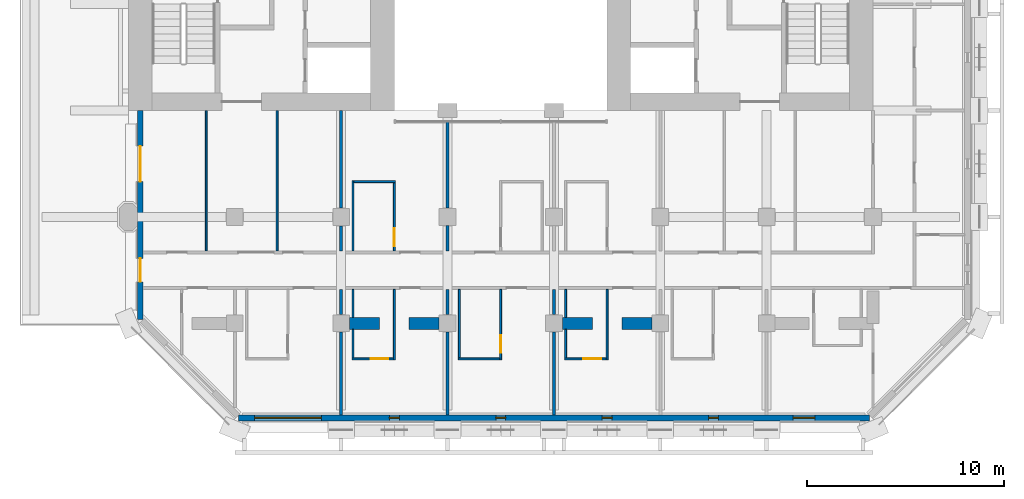
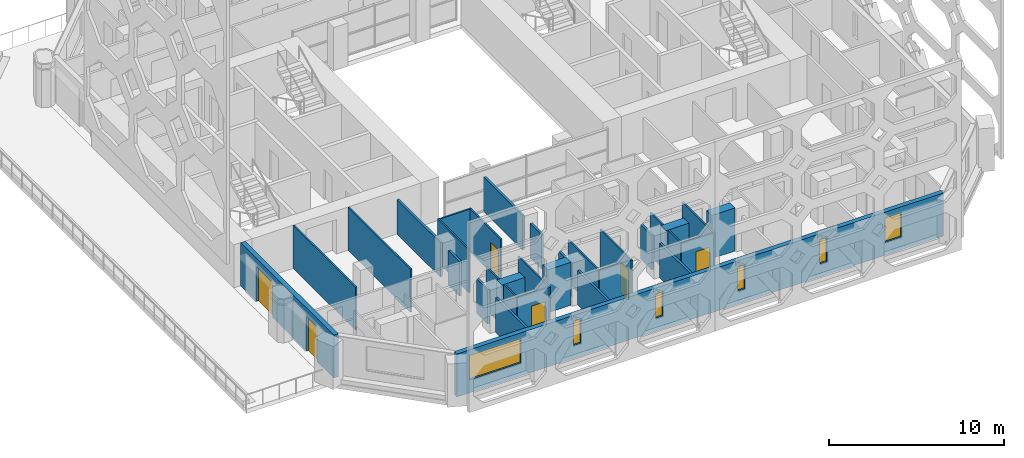
# One storey, part 6 of 16: 32 walls, 6 doors, 6 windows, 12 openings.
"""IFC4 building model written with IfcOpenShell, lengths in metres."""

from ifc_helpers import new_model, si_unit, direction, frame, frame_2d, origin, place, context, subcontext, project, spatial, rectangle, extrude, material, layer, layer_set, type_object, element, fill, save


model = new_model("IFC4")

# Units and contexts
model_context = context("Model", 3, precision=1e-05, world=origin(), true_north=direction((0.0, 1.0)))
body_context = subcontext(model_context, "Body", "Model", "MODEL_VIEW")
ifc_project = project(units=[si_unit("LENGTHUNIT", "METRE"), si_unit("AREAUNIT", "SQUARE_METRE"), si_unit("VOLUMEUNIT", "CUBIC_METRE"), si_unit("PLANEANGLEUNIT", "RADIAN"), si_unit("MASSUNIT", "GRAM", prefix="KILO")], contexts=[model_context])

# Site, building, storey
site_placement = place(None, origin())
site = spatial("IfcSite", under=ifc_project, at=site_placement, CompositionType="ELEMENT")
building_placement = place(site_placement, origin())
building = spatial("IfcBuilding", under=site, at=building_placement, Name="Tabaq Tower and Sports Hall", CompositionType="ELEMENT")
storey_placement = place(building_placement, frame((0.0, 0.0, 152.800048828125)))
storey = spatial("IfcBuildingStorey", under=building, at=storey_placement, Name="L35", CompositionType="ELEMENT", Elevation=152.800048828125)

# Walls
ifc_material_1 = material(Name="Gypsum board on steel studs", Category="steel")
ifc_layer_1 = layer(ifc_material_1, 0.10009765625)
ifc_layer_set_1 = layer_set([ifc_layer_1], Name="Partition 100 Gypsum board")
wall_type_1 = type_object("IfcWallType", Name="Partition 100 Gypsum board", PredefinedType="PARTITIONING", material=ifc_layer_set_1)
wall_1_placement = place(storey_placement, frame((16.800048828125, 9.074951171875, 0.0), z_axis=(0.0, 0.0, 1.0), x_axis=(0.0, 1.0, 0.0)))
element("IfcWall", 1, at=wall_1_placement, inside=storey, type_object=wall_type_1, Name="Partition wall L35", PredefinedType="PARTITIONING", context=body_context, shape_type="SweptSolid", body=[
    extrude(rectangle(XDim=3.574951171875, YDim=0.10009765625, at=frame_2d((1.78759765625, 0.0))), origin(), (0.0, 0.0, 1.0), 3.0),
])
wall_2_placement = place(storey_placement, frame((16.85009765625, 12.60009765625, 0.0), z_axis=(0.0, 0.0, 1.0), x_axis=(1.0, 0.0, 0.0)))
element("IfcWall", 2, at=wall_2_placement, inside=storey, type_object=wall_type_1, Name="Partition wall L35", PredefinedType="PARTITIONING", context=body_context, shape_type="SweptSolid", body=[
    extrude(rectangle(XDim=2.099853515625, YDim=0.10009765625, at=frame_2d((1.0498046875, 0.0))), origin(), (0.0, 0.0, 1.0), 3.0),
])

# Wall, opening, door
wall_3_placement = place(storey_placement, frame((18.89990234375, 12.550048828125, 0.0), z_axis=(0.0, 0.0, 1.0), x_axis=(0.0, -1.0, 0.0)))
wall_3 = element("IfcWall", 3, at=wall_3_placement, inside=storey, type_object=wall_type_1, Name="Partition wall L35", PredefinedType="PARTITIONING", context=body_context, shape_type="SweptSolid", body=[
    extrude(rectangle(XDim=3.47509765625, YDim=0.10009765625, at=frame_2d((1.737548828125, 0.0))), origin(), (0.0, 0.0, 1.0), 3.0),
])
opening_1_placement = place(wall_3_placement, frame((2.324951171875, 0.0, 0.0)))
opening_1 = element("IfcOpeningElement", 4, at=opening_1_placement, cuts=wall_3, Name="Opening L35-014", PredefinedType="OPENING", context=body_context, shape_type="SweptSolid", body=[
    extrude(rectangle(XDim=0.89990234375, YDim=2.10009765625, at=frame_2d((0.449951171875, 1.050048828125))), frame((0.0, 0.050048828125, 0.0), z_axis=(0.0, -1.0, 0.0), x_axis=(1.0, 0.0, 0.0)), (0.0, 0.0, 1.0), 0.10009765625),
])
ifc_material_2 = material(Name="Timber leaf in steel frame", Category="steel")
door_type_1 = type_object("IfcDoorType", Name="Internal door 900 left hand", OperationType="SINGLE_SWING_LEFT", PredefinedType="DOOR", material=ifc_material_2)
door_1_placement = place(opening_1_placement, origin())
door_1 = element("IfcDoor", 5, at=door_1_placement, inside=storey, type_object=door_type_1, Name="Internal door L35-014", OperationType="SINGLE_SWING_LEFT", OverallHeight=2.10009765625, OverallWidth=0.89990234375, PredefinedType="DOOR", context=body_context, shape_type="SweptSolid", body=[
    extrude(rectangle(XDim=0.89990234375, YDim=2.10009765625, at=frame_2d((0.449951171875, 1.050048828125))), frame((0.0, 0.02490234375, 0.0), z_axis=(0.0, -1.0, 0.0), x_axis=(1.0, 0.0, 0.0)), (0.0, 0.0, 1.0), 0.050048828125),
])
fill(opening_1, door_1)

# Wall
wall_4_placement = place(storey_placement, frame((18.89990234375, 7.125, 0.0), z_axis=(0.0, 0.0, 1.0), x_axis=(0.0, -1.0, 0.0)))
element("IfcWall", 6, at=wall_4_placement, inside=storey, type_object=wall_type_1, Name="Partition wall L35", PredefinedType="PARTITIONING", context=body_context, shape_type="SweptSolid", body=[
    extrude(rectangle(XDim=3.574951171875, YDim=0.10009765625, at=frame_2d((1.78759765625, 0.0))), origin(), (0.0, 0.0, 1.0), 3.0),
])

# Wall, opening, door
wall_5_placement = place(storey_placement, frame((18.85009765625, 3.60009765625, 0.0), z_axis=(0.0, 0.0, 1.0), x_axis=(-1.0, 0.0, 0.0)))
wall_5 = element("IfcWall", 7, at=wall_5_placement, inside=storey, type_object=wall_type_1, Name="Partition wall L35", PredefinedType="PARTITIONING", context=body_context, shape_type="SweptSolid", body=[
    extrude(rectangle(XDim=2.10009765625, YDim=0.10009765625, at=frame_2d((1.050048828125, 0.0))), origin(), (0.0, 0.0, 1.0), 3.0),
])
opening_2_placement = place(wall_5_placement, frame((0.25, 0.0, 0.0)))
opening_2 = element("IfcOpeningElement", 8, at=opening_2_placement, cuts=wall_5, Name="Opening L35-020", PredefinedType="OPENING", context=body_context, shape_type="SweptSolid", body=[
    extrude(rectangle(XDim=0.89990234375, YDim=2.10009765625, at=frame_2d((0.449951171875, 1.050048828125))), frame((0.0, 0.050048828125, 0.0), z_axis=(0.0, -1.0, 0.0), x_axis=(1.0, 0.0, 0.0)), (0.0, 0.0, 1.0), 0.10009765625),
])
ifc_material_3 = material(Name="Timber leaf in steel frame", Category="steel")
door_type_2 = type_object("IfcDoorType", Name="Internal door 900 right hand", OperationType="SINGLE_SWING_RIGHT", PredefinedType="DOOR", material=ifc_material_3)
door_2_placement = place(opening_2_placement, origin())
door_2 = element("IfcDoor", 9, at=door_2_placement, inside=storey, type_object=door_type_2, Name="Internal door L35-020", OperationType="SINGLE_SWING_RIGHT", OverallHeight=2.10009765625, OverallWidth=0.89990234375, PredefinedType="DOOR", context=body_context, shape_type="SweptSolid", body=[
    extrude(rectangle(XDim=0.89990234375, YDim=2.10009765625, at=frame_2d((0.449951171875, 1.050048828125))), frame((0.0, 0.02490234375, 0.0), z_axis=(0.0, -1.0, 0.0), x_axis=(1.0, 0.0, 0.0)), (0.0, 0.0, 1.0), 0.050048828125),
])
fill(opening_2, door_2)

# Walls
wall_6_placement = place(storey_placement, frame((16.800048828125, 3.64990234375, 0.0), z_axis=(0.0, 0.0, 1.0), x_axis=(0.0, 1.0, 0.0)))
element("IfcWall", 10, at=wall_6_placement, inside=storey, type_object=wall_type_1, Name="Partition wall L35", PredefinedType="PARTITIONING", context=body_context, shape_type="SweptSolid", body=[
    extrude(rectangle(XDim=1.44921875, YDim=0.10009765625, at=frame_2d((0.724609375, 0.0))), origin(), (0.0, 0.0, 1.0), 3.0),
])
wall_7_placement = place(storey_placement, frame((16.800048828125, 5.700927734375, 0.0), z_axis=(0.0, 0.0, 1.0), x_axis=(0.0, 1.0, 0.0)))
element("IfcWall", 11, at=wall_7_placement, inside=storey, type_object=wall_type_1, Name="Partition wall L35", PredefinedType="PARTITIONING", context=body_context, shape_type="SweptSolid", body=[
    extrude(rectangle(XDim=1.424072265625, YDim=0.10009765625, at=frame_2d((0.7119140625, 0.0))), origin(), (0.0, 0.0, 1.0), 3.0),
])

# Wall, opening, door
wall_8_placement = place(storey_placement, frame((24.300048828125, 7.125, 0.0), z_axis=(0.0, 0.0, 1.0), x_axis=(0.0, -1.0, 0.0)))
wall_8 = element("IfcWall", 12, at=wall_8_placement, inside=storey, type_object=wall_type_1, Name="Partition wall L35", PredefinedType="PARTITIONING", context=body_context, shape_type="SweptSolid", body=[
    extrude(rectangle(XDim=3.574951171875, YDim=0.10009765625, at=frame_2d((1.78759765625, 0.0))), origin(), (0.0, 0.0, 1.0), 3.0),
])
opening_3_placement = place(wall_8_placement, frame((2.324951171875, 0.0, 0.0)))
opening_3 = element("IfcOpeningElement", 13, at=opening_3_placement, cuts=wall_8, Name="Opening L35-021", PredefinedType="OPENING", context=body_context, shape_type="SweptSolid", body=[
    extrude(rectangle(XDim=0.89990234375, YDim=2.10009765625, at=frame_2d((0.449951171875, 1.050048828125))), frame((0.0, 0.050048828125, 0.0), z_axis=(0.0, -1.0, 0.0), x_axis=(1.0, 0.0, 0.0)), (0.0, 0.0, 1.0), 0.10009765625),
])
door_3_placement = place(opening_3_placement, origin())
door_3 = element("IfcDoor", 14, at=door_3_placement, inside=storey, type_object=door_type_2, Name="Internal door L35-021", OperationType="SINGLE_SWING_RIGHT", OverallHeight=2.10009765625, OverallWidth=0.89990234375, PredefinedType="DOOR", context=body_context, shape_type="SweptSolid", body=[
    extrude(rectangle(XDim=0.89990234375, YDim=2.10009765625, at=frame_2d((0.449951171875, 1.050048828125))), frame((0.0, 0.02490234375, 0.0), z_axis=(0.0, -1.0, 0.0), x_axis=(1.0, 0.0, 0.0)), (0.0, 0.0, 1.0), 0.050048828125),
])
fill(opening_3, door_3)

# Walls
wall_9_placement = place(storey_placement, frame((24.25, 3.60009765625, 0.0), z_axis=(0.0, 0.0, 1.0), x_axis=(-1.0, 0.0, 0.0)))
element("IfcWall", 15, at=wall_9_placement, inside=storey, type_object=wall_type_1, Name="Partition wall L35", PredefinedType="PARTITIONING", context=body_context, shape_type="SweptSolid", body=[
    extrude(rectangle(XDim=2.10009765625, YDim=0.10009765625, at=frame_2d((1.050048828125, 0.0))), origin(), (0.0, 0.0, 1.0), 3.0),
])
wall_10_placement = place(storey_placement, frame((22.199951171875, 3.64990234375, 0.0), z_axis=(0.0, 0.0, 1.0), x_axis=(0.0, 1.0, 0.0)))
element("IfcWall", 16, at=wall_10_placement, inside=storey, type_object=wall_type_1, Name="Partition wall L35", PredefinedType="PARTITIONING", context=body_context, shape_type="SweptSolid", body=[
    extrude(rectangle(XDim=3.47509765625, YDim=0.10009765625, at=frame_2d((1.737548828125, 0.0))), origin(), (0.0, 0.0, 1.0), 3.0),
])
wall_11_placement = place(storey_placement, frame((29.699951171875, 7.125, 0.0), z_axis=(0.0, 0.0, 1.0), x_axis=(0.0, -1.0, 0.0)))
element("IfcWall", 17, at=wall_11_placement, inside=storey, type_object=wall_type_1, Name="Partition wall L35", PredefinedType="PARTITIONING", context=body_context, shape_type="SweptSolid", body=[
    extrude(rectangle(XDim=3.574951171875, YDim=0.10009765625, at=frame_2d((1.78759765625, 0.0))), origin(), (0.0, 0.0, 1.0), 3.0),
])

# Wall, opening, door
wall_12_placement = place(storey_placement, frame((29.64990234375, 3.60009765625, 0.0), z_axis=(0.0, 0.0, 1.0), x_axis=(-1.0, 0.0, 0.0)))
wall_12 = element("IfcWall", 18, at=wall_12_placement, inside=storey, type_object=wall_type_1, Name="Partition wall L35", PredefinedType="PARTITIONING", context=body_context, shape_type="SweptSolid", body=[
    extrude(rectangle(XDim=2.099853515625, YDim=0.10009765625, at=frame_2d((1.0498046875, 0.0))), origin(), (0.0, 0.0, 1.0), 3.0),
])
opening_4_placement = place(wall_12_placement, frame((0.25, 0.0, 0.0)))
opening_4 = element("IfcOpeningElement", 19, at=opening_4_placement, cuts=wall_12, Name="Opening L35-022", PredefinedType="OPENING", context=body_context, shape_type="SweptSolid", body=[
    extrude(rectangle(XDim=0.89990234375, YDim=2.10009765625, at=frame_2d((0.449951171875, 1.050048828125))), frame((0.0, 0.050048828125, 0.0), z_axis=(0.0, -1.0, 0.0), x_axis=(1.0, 0.0, 0.0)), (0.0, 0.0, 1.0), 0.10009765625),
])
door_4_placement = place(opening_4_placement, origin())
door_4 = element("IfcDoor", 20, at=door_4_placement, inside=storey, type_object=door_type_1, Name="Internal door L35-022", OperationType="SINGLE_SWING_LEFT", OverallHeight=2.10009765625, OverallWidth=0.89990234375, PredefinedType="DOOR", context=body_context, shape_type="SweptSolid", body=[
    extrude(rectangle(XDim=0.89990234375, YDim=2.10009765625, at=frame_2d((0.449951171875, 1.050048828125))), frame((0.0, 0.02490234375, 0.0), z_axis=(0.0, -1.0, 0.0), x_axis=(1.0, 0.0, 0.0)), (0.0, 0.0, 1.0), 0.050048828125),
])
fill(opening_4, door_4)

# Walls
wall_13_placement = place(storey_placement, frame((27.60009765625, 3.64990234375, 0.0), z_axis=(0.0, 0.0, 1.0), x_axis=(0.0, 1.0, 0.0)))
element("IfcWall", 21, at=wall_13_placement, inside=storey, type_object=wall_type_1, Name="Partition wall L35", PredefinedType="PARTITIONING", context=body_context, shape_type="SweptSolid", body=[
    extrude(rectangle(XDim=1.44921875, YDim=0.10009765625, at=frame_2d((0.724609375, 0.0))), origin(), (0.0, 0.0, 1.0), 3.0),
])
wall_14_placement = place(storey_placement, frame((27.60009765625, 5.700927734375, 0.0), z_axis=(0.0, 0.0, 1.0), x_axis=(0.0, 1.0, 0.0)))
element("IfcWall", 22, at=wall_14_placement, inside=storey, type_object=wall_type_1, Name="Partition wall L35", PredefinedType="PARTITIONING", context=body_context, shape_type="SweptSolid", body=[
    extrude(rectangle(XDim=1.424072265625, YDim=0.10009765625, at=frame_2d((0.7119140625, 0.0))), origin(), (0.0, 0.0, 1.0), 3.0),
])
for number, where, z_axis, x_axis, name in (
    (23, (9.35009765625, 16.199951171875, 0.0), (0.0, 0.0, 1.0), (0.0, -1.0, 0.0), "Partition wall L35"),
    (24, (12.949951171875, 9.074951171875, 0.0), (0.0, 0.0, 1.0), (0.0, 1.0, 0.0), "Partition wall L35"),
):
    element("IfcWall", number, at=place(storey_placement, frame(where, z_axis=z_axis, x_axis=x_axis)), inside=storey, type_object=wall_type_1, Name=name, PredefinedType="PARTITIONING", context=body_context, shape_type="SweptSolid", body=[
        extrude(rectangle(XDim=7.125, YDim=0.10009765625, at=frame_2d((3.5625, 0.0))), origin(), (0.0, 0.0, 1.0), 3.0),
    ])
ifc_material_4 = material(Name="Concrete C50/60", Category="concrete")
ifc_layer_2 = layer(ifc_material_4, 0.60009765625)
ifc_layer_set_2 = layer_set([ifc_layer_2], Name="RC TRANSFER WALL 600 C50/60")
wall_type_2 = type_object("IfcWallType", Name="RC TRANSFER WALL 600 C50/60", PredefinedType="SHEAR", material=ifc_layer_set_2)
wall_15_placement = place(storey_placement, frame((16.625, 5.39990234375, 0.0), z_axis=(0.0, 0.0, 1.0), x_axis=(1.0, 0.0, 0.0)))
element("IfcWall", 25, at=wall_15_placement, inside=storey, type_object=wall_type_2, Name="Transfer Wall L35 South 6", PredefinedType="SHEAR", context=body_context, shape_type="SweptSolid", body=[
    extrude(rectangle(XDim=1.52490234375, YDim=0.60009765625, at=frame_2d((0.762451171875, 0.0))), origin(), (0.0, 0.0, 1.0), 3.0),
])
wall_16_placement = place(storey_placement, frame((19.64990234375, 5.39990234375, 0.0), z_axis=(0.0, 0.0, 1.0), x_axis=(1.0, 0.0, 0.0)))
element("IfcWall", 26, at=wall_16_placement, inside=storey, type_object=wall_type_2, Name="Transfer Wall L35 South 7", PredefinedType="SHEAR", context=body_context, shape_type="SweptSolid", body=[
    extrude(rectangle(XDim=1.525146484375, YDim=0.60009765625, at=frame_2d((0.7626953125, 0.0))), origin(), (0.0, 0.0, 1.0), 3.0),
])
wall_17_placement = place(storey_placement, frame((27.425048828125, 5.39990234375, 0.0), z_axis=(0.0, 0.0, 1.0), x_axis=(1.0, 0.0, 0.0)))
element("IfcWall", 27, at=wall_17_placement, inside=storey, type_object=wall_type_2, Name="Transfer Wall L35 South 8", PredefinedType="SHEAR", context=body_context, shape_type="SweptSolid", body=[
    extrude(rectangle(XDim=1.52490234375, YDim=0.60009765625, at=frame_2d((0.762451171875, 0.0))), origin(), (0.0, 0.0, 1.0), 3.0),
])
wall_18_placement = place(storey_placement, frame((30.449951171875, 5.39990234375, 0.0), z_axis=(0.0, 0.0, 1.0), x_axis=(1.0, 0.0, 0.0)))
element("IfcWall", 28, at=wall_18_placement, inside=storey, type_object=wall_type_2, Name="Transfer Wall L35 South 9", PredefinedType="SHEAR", context=body_context, shape_type="SweptSolid", body=[
    extrude(rectangle(XDim=1.525146484375, YDim=0.60009765625, at=frame_2d((0.7626953125, 0.0))), origin(), (0.0, 0.0, 1.0), 3.0),
])
ifc_material_5 = material(Name="Blockwork", Category="masonry")
ifc_layer_3 = layer(ifc_material_5, 0.14990234375)
ifc_layer_set_3 = layer_set([ifc_layer_3], Name="Separating wall 150 Blockwork")
wall_type_3 = type_object("IfcWallType", Name="Separating wall 150 Blockwork", PredefinedType="PARTITIONING", material=ifc_layer_set_3)
wall_19_placement = place(storey_placement, frame((16.199951171875, 16.199951171875, 0.0), z_axis=(0.0, 0.0, 1.0), x_axis=(0.0, -1.0, 0.0)))
element("IfcWall", 29, at=wall_19_placement, inside=storey, type_object=wall_type_3, Name="Separating wall L35", PredefinedType="PARTITIONING", context=body_context, shape_type="SweptSolid", body=[
    extrude(rectangle(XDim=4.954833984375, YDim=0.14990234375, at=frame_2d((2.4775390625, 0.0))), origin(), (0.0, 0.0, 1.0), 2.39990234375),
])
for number, where, z_axis, x_axis, name in (
    (30, (16.199951171875, 10.35498046875, 0.0), (0.0, 0.0, 1.0), (0.0, -1.0, 0.0), "Separating wall L35"),
    (31, (21.60009765625, 9.074951171875, 0.0), (0.0, 0.0, 1.0), (0.0, 1.0, 0.0), "Separating wall L35"),
):
    element("IfcWall", number, at=place(storey_placement, frame(where, z_axis=z_axis, x_axis=x_axis)), inside=storey, type_object=wall_type_3, Name=name, PredefinedType="PARTITIONING", context=body_context, shape_type="SweptSolid", body=[
        extrude(rectangle(XDim=1.280029296875, YDim=0.14990234375, at=frame_2d((0.64013671875, 0.0))), origin(), (0.0, 0.0, 1.0), 2.39990234375),
    ])
wall_20_placement = place(storey_placement, frame((21.60009765625, 11.2451171875, 0.0), z_axis=(0.0, 0.0, 1.0), x_axis=(0.0, 1.0, 0.0)))
element("IfcWall", 32, at=wall_20_placement, inside=storey, type_object=wall_type_3, Name="Separating wall L35", PredefinedType="PARTITIONING", context=body_context, shape_type="SweptSolid", body=[
    extrude(rectangle(XDim=4.4599609375, YDim=0.14990234375, at=frame_2d((2.22998046875, 0.0))), origin(), (0.0, 0.0, 1.0), 2.39990234375),
])
wall_21_placement = place(storey_placement, frame((16.199951171875, 0.7509765625, 0.0), z_axis=(0.0, 0.0, 1.0), x_axis=(0.0, 1.0, 0.0)))
element("IfcWall", 33, at=wall_21_placement, inside=storey, type_object=wall_type_3, Name="Separating wall L35", PredefinedType="PARTITIONING", context=body_context, shape_type="SweptSolid", body=[
    extrude(rectangle(XDim=4.2041015625, YDim=0.14990234375, at=frame_2d((2.10205078125, 0.0))), origin(), (0.0, 0.0, 1.0), 2.39990234375),
])
wall_22_placement = place(storey_placement, frame((16.199951171875, 5.844970703125, 0.0), z_axis=(0.0, 0.0, 1.0), x_axis=(0.0, 1.0, 0.0)))
element("IfcWall", 34, at=wall_22_placement, inside=storey, type_object=wall_type_3, Name="Separating wall L35", PredefinedType="PARTITIONING", context=body_context, shape_type="SweptSolid", body=[
    extrude(rectangle(XDim=1.280029296875, YDim=0.14990234375, at=frame_2d((0.64013671875, 0.0))), origin(), (0.0, 0.0, 1.0), 2.39990234375),
])
wall_23_placement = place(storey_placement, frame((21.60009765625, 0.7509765625, 0.0), z_axis=(0.0, 0.0, 1.0), x_axis=(0.0, 1.0, 0.0)))
element("IfcWall", 35, at=wall_23_placement, inside=storey, type_object=wall_type_3, Name="Separating wall L35", PredefinedType="PARTITIONING", context=body_context, shape_type="SweptSolid", body=[
    extrude(rectangle(XDim=4.2041015625, YDim=0.14990234375, at=frame_2d((2.10205078125, 0.0))), origin(), (0.0, 0.0, 1.0), 2.39990234375),
])
wall_24_placement = place(storey_placement, frame((21.60009765625, 5.844970703125, 0.0), z_axis=(0.0, 0.0, 1.0), x_axis=(0.0, 1.0, 0.0)))
element("IfcWall", 36, at=wall_24_placement, inside=storey, type_object=wall_type_3, Name="Separating wall L35", PredefinedType="PARTITIONING", context=body_context, shape_type="SweptSolid", body=[
    extrude(rectangle(XDim=1.280029296875, YDim=0.14990234375, at=frame_2d((0.64013671875, 0.0))), origin(), (0.0, 0.0, 1.0), 2.39990234375),
])
wall_25_placement = place(storey_placement, frame((27.0, 0.7509765625, 0.0), z_axis=(0.0, 0.0, 1.0), x_axis=(0.0, 1.0, 0.0)))
element("IfcWall", 37, at=wall_25_placement, inside=storey, type_object=wall_type_3, Name="Separating wall L35", PredefinedType="PARTITIONING", context=body_context, shape_type="SweptSolid", body=[
    extrude(rectangle(XDim=4.2041015625, YDim=0.14990234375, at=frame_2d((2.10205078125, 0.0))), origin(), (0.0, 0.0, 1.0), 2.39990234375),
])
wall_26_placement = place(storey_placement, frame((27.0, 5.844970703125, 0.0), z_axis=(0.0, 0.0, 1.0), x_axis=(0.0, 1.0, 0.0)))
element("IfcWall", 38, at=wall_26_placement, inside=storey, type_object=wall_type_3, Name="Separating wall L35", PredefinedType="PARTITIONING", context=body_context, shape_type="SweptSolid", body=[
    extrude(rectangle(XDim=1.280029296875, YDim=0.14990234375, at=frame_2d((0.64013671875, 0.0))), origin(), (0.0, 0.0, 1.0), 2.39990234375),
])

# Wall, openings, windows
ifc_material_6 = material(Name="White precast concrete C60/75", Category="concrete")
ifc_layer_4 = layer(ifc_material_6, 0.300048828125)
ifc_layer_set_4 = layer_set([ifc_layer_4], Name="White precast concrete C60/75 external wall 300")
wall_type_4 = type_object("IfcWallType", Name="White precast concrete C60/75 external wall 300", PredefinedType="SOLIDWALL", material=ifc_layer_set_4)
wall_27_placement = place(storey_placement, frame((10.986328125, 0.60009765625, 0.0), z_axis=(0.0, 0.0, 1.0), x_axis=(1.0, 0.0, 0.0)))
wall_27 = element("IfcWall", 39, at=wall_27_placement, inside=storey, type_object=wall_type_4, Name="External Wall L35 S", PredefinedType="SOLIDWALL", context=body_context, shape_type="SweptSolid", body=[
    extrude(rectangle(XDim=32.02734375, YDim=0.300048828125, at=frame_2d((16.013671875, 0.0))), origin(), (0.0, 0.0, 1.0), 3.0),
])
opening_5_placement = place(wall_27_placement, frame((0.813720703125, 0.0, 0.89990234375)))
opening_5 = element("IfcOpeningElement", 40, at=opening_5_placement, cuts=wall_27, Name="Opening W1A", PredefinedType="OPENING", context=body_context, shape_type="SweptSolid", body=[
    extrude(rectangle(XDim=3.39990234375, YDim=1.699951171875, at=frame_2d((1.699951171875, 0.85009765625))), frame((0.0, 0.16015625, 0.0), z_axis=(0.0, -1.0, 0.0), x_axis=(1.0, 0.0, 0.0)), (0.0, 0.0, 1.0), 0.320068359375),
])
opening_6_placement = place(wall_27_placement, frame((7.66357421875, 0.0, 0.89990234375)))
opening_6 = element("IfcOpeningElement", 41, at=opening_6_placement, cuts=wall_27, Name="Opening W1E", PredefinedType="OPENING", context=body_context, shape_type="SweptSolid", body=[
    extrude(rectangle(XDim=0.5, YDim=1.699951171875, at=frame_2d((0.25, 0.85009765625))), frame((0.0, 0.16015625, 0.0), z_axis=(0.0, -1.0, 0.0), x_axis=(1.0, 0.0, 0.0)), (0.0, 0.0, 1.0), 0.320068359375),
])
opening_7_placement = place(wall_27_placement, frame((13.063720703125, 0.0, 0.89990234375)))
opening_7 = element("IfcOpeningElement", 42, at=opening_7_placement, cuts=wall_27, Name="Opening W1E", PredefinedType="OPENING", context=body_context, shape_type="SweptSolid", body=[
    extrude(rectangle(XDim=0.5, YDim=1.699951171875, at=frame_2d((0.25, 0.85009765625))), frame((0.0, 0.16015625, 0.0), z_axis=(0.0, -1.0, 0.0), x_axis=(1.0, 0.0, 0.0)), (0.0, 0.0, 1.0), 0.320068359375),
])
opening_8_placement = place(wall_27_placement, frame((18.463623046875, 0.0, 0.89990234375)))
opening_8 = element("IfcOpeningElement", 43, at=opening_8_placement, cuts=wall_27, Name="Opening W1E", PredefinedType="OPENING", context=body_context, shape_type="SweptSolid", body=[
    extrude(rectangle(XDim=0.5, YDim=1.699951171875, at=frame_2d((0.25, 0.85009765625))), frame((0.0, 0.16015625, 0.0), z_axis=(0.0, -1.0, 0.0), x_axis=(1.0, 0.0, 0.0)), (0.0, 0.0, 1.0), 0.320068359375),
])
opening_9_placement = place(wall_27_placement, frame((23.863525390625, 0.0, 0.89990234375)))
opening_9 = element("IfcOpeningElement", 44, at=opening_9_placement, cuts=wall_27, Name="Opening W1E", PredefinedType="OPENING", context=body_context, shape_type="SweptSolid", body=[
    extrude(rectangle(XDim=0.5, YDim=1.699951171875, at=frame_2d((0.25, 0.85009765625))), frame((0.0, 0.16015625, 0.0), z_axis=(0.0, -1.0, 0.0), x_axis=(1.0, 0.0, 0.0)), (0.0, 0.0, 1.0), 0.320068359375),
])
opening_10_placement = place(wall_27_placement, frame((28.16357421875, 0.0, 0.89990234375)))
opening_10 = element("IfcOpeningElement", 45, at=opening_10_placement, cuts=wall_27, Name="Opening W1B", PredefinedType="OPENING", context=body_context, shape_type="SweptSolid", body=[
    extrude(rectangle(XDim=1.10009765625, YDim=1.699951171875, at=frame_2d((0.550048828125, 0.85009765625))), frame((0.0, 0.16015625, 0.0), z_axis=(0.0, -1.0, 0.0), x_axis=(1.0, 0.0, 0.0)), (0.0, 0.0, 1.0), 0.320068359375),
])
ifc_material_7 = material(Name="Aluminium framed clear glazing", Category="aluminium")
window_type_1 = type_object("IfcWindowType", Name="Window W1A", PartitioningType="SINGLE_PANEL", PredefinedType="WINDOW", material=ifc_material_7)
window_1_placement = place(opening_5_placement, origin())
window_1 = element("IfcWindow", 46, at=window_1_placement, inside=storey, type_object=window_type_1, Name="Window W1A L35", OverallHeight=1.699951171875, OverallWidth=3.39990234375, PartitioningType="SINGLE_PANEL", PredefinedType="WINDOW", context=body_context, shape_type="SweptSolid", body=[
    extrude(rectangle(XDim=3.39990234375, YDim=1.699951171875, at=frame_2d((1.699951171875, 0.85009765625))), frame((0.0, 0.030029296875, 0.0), z_axis=(0.0, -1.0, 0.0), x_axis=(1.0, 0.0, 0.0)), (0.0, 0.0, 1.0), 0.06005859375),
])
fill(opening_5, window_1)
ifc_material_8 = material(Name="Aluminium framed clear glazing", Category="aluminium")
window_type_2 = type_object("IfcWindowType", Name="Window W1B", PartitioningType="SINGLE_PANEL", PredefinedType="WINDOW", material=ifc_material_8)
window_2_placement = place(opening_10_placement, origin())
window_2 = element("IfcWindow", 47, at=window_2_placement, inside=storey, type_object=window_type_2, Name="Window W1B L35", OverallHeight=1.699951171875, OverallWidth=1.10009765625, PartitioningType="SINGLE_PANEL", PredefinedType="WINDOW", context=body_context, shape_type="SweptSolid", body=[
    extrude(rectangle(XDim=1.10009765625, YDim=1.699951171875, at=frame_2d((0.550048828125, 0.85009765625))), frame((0.0, 0.030029296875, 0.0), z_axis=(0.0, -1.0, 0.0), x_axis=(1.0, 0.0, 0.0)), (0.0, 0.0, 1.0), 0.06005859375),
])
fill(opening_10, window_2)
ifc_material_9 = material(Name="Aluminium framed clear glazing", Category="aluminium")
window_type_3 = type_object("IfcWindowType", Name="Window W1E", PartitioningType="SINGLE_PANEL", PredefinedType="WINDOW", material=ifc_material_9)
window_3_placement = place(opening_6_placement, origin())
window_3 = element("IfcWindow", 48, at=window_3_placement, inside=storey, type_object=window_type_3, Name="Window W1E L35", OverallHeight=1.699951171875, OverallWidth=0.5, PartitioningType="SINGLE_PANEL", PredefinedType="WINDOW", context=body_context, shape_type="SweptSolid", body=[
    extrude(rectangle(XDim=0.5, YDim=1.699951171875, at=frame_2d((0.25, 0.85009765625))), frame((0.0, 0.030029296875, 0.0), z_axis=(0.0, -1.0, 0.0), x_axis=(1.0, 0.0, 0.0)), (0.0, 0.0, 1.0), 0.06005859375),
])
fill(opening_6, window_3)
window_4_placement = place(opening_7_placement, origin())
window_4 = element("IfcWindow", 49, at=window_4_placement, inside=storey, type_object=window_type_3, Name="Window W1E L35", OverallHeight=1.699951171875, OverallWidth=0.5, PartitioningType="SINGLE_PANEL", PredefinedType="WINDOW", context=body_context, shape_type="SweptSolid", body=[
    extrude(rectangle(XDim=0.5, YDim=1.699951171875, at=frame_2d((0.25, 0.85009765625))), frame((0.0, 0.030029296875, 0.0), z_axis=(0.0, -1.0, 0.0), x_axis=(1.0, 0.0, 0.0)), (0.0, 0.0, 1.0), 0.06005859375),
])
fill(opening_7, window_4)
window_5_placement = place(opening_8_placement, origin())
window_5 = element("IfcWindow", 50, at=window_5_placement, inside=storey, type_object=window_type_3, Name="Window W1E L35", OverallHeight=1.699951171875, OverallWidth=0.5, PartitioningType="SINGLE_PANEL", PredefinedType="WINDOW", context=body_context, shape_type="SweptSolid", body=[
    extrude(rectangle(XDim=0.5, YDim=1.699951171875, at=frame_2d((0.25, 0.85009765625))), frame((0.0, 0.030029296875, 0.0), z_axis=(0.0, -1.0, 0.0), x_axis=(1.0, 0.0, 0.0)), (0.0, 0.0, 1.0), 0.06005859375),
])
fill(opening_8, window_5)
window_6_placement = place(opening_9_placement, origin())
window_6 = element("IfcWindow", 51, at=window_6_placement, inside=storey, type_object=window_type_3, Name="Window W1E L35", OverallHeight=1.699951171875, OverallWidth=0.5, PartitioningType="SINGLE_PANEL", PredefinedType="WINDOW", context=body_context, shape_type="SweptSolid", body=[
    extrude(rectangle(XDim=0.5, YDim=1.699951171875, at=frame_2d((0.25, 0.85009765625))), frame((0.0, 0.030029296875, 0.0), z_axis=(0.0, -1.0, 0.0), x_axis=(1.0, 0.0, 0.0)), (0.0, 0.0, 1.0), 0.06005859375),
])
fill(opening_9, window_6)

# Wall, openings, doors
wall_28_placement = place(storey_placement, frame((6.0, 16.199951171875, 0.0), z_axis=(0.0, 0.0, 1.0), x_axis=(0.0, -1.0, 0.0)))
wall_28 = element("IfcWall", 52, at=wall_28_placement, inside=storey, type_object=wall_type_4, Name="External Wall L35 W", PredefinedType="SOLIDWALL", context=body_context, shape_type="SweptSolid", body=[
    extrude(rectangle(XDim=10.613525390625, YDim=0.300048828125, at=frame_2d((5.306640625, 0.0))), origin(), (0.0, 0.0, 1.0), 3.0),
])
opening_11_placement = place(wall_28_placement, frame((1.800048828125, 0.0, 0.0)))
opening_11 = element("IfcOpeningElement", 53, at=opening_11_placement, cuts=wall_28, Name="Opening TD3502", PredefinedType="OPENING", context=body_context, shape_type="SweptSolid", body=[
    extrude(rectangle(XDim=1.800048828125, YDim=2.39990234375, at=frame_2d((0.89990234375, 1.199951171875))), frame((0.0, 0.16015625, 0.0), z_axis=(0.0, -1.0, 0.0), x_axis=(1.0, 0.0, 0.0)), (0.0, 0.0, 1.0), 0.320068359375),
])
opening_12_placement = place(wall_28_placement, frame((7.5, 0.0, 0.0)))
opening_12 = element("IfcOpeningElement", 54, at=opening_12_placement, cuts=wall_28, Name="Opening TD3503", PredefinedType="OPENING", context=body_context, shape_type="SweptSolid", body=[
    extrude(rectangle(XDim=1.199951171875, YDim=2.39990234375, at=frame_2d((0.60009765625, 1.199951171875))), frame((0.0, 0.16015625, 0.0), z_axis=(0.0, -1.0, 0.0), x_axis=(1.0, 0.0, 0.0)), (0.0, 0.0, 1.0), 0.320068359375),
])
ifc_material_10 = material(Name="Aluminium framed clear glazing", Category="aluminium")
door_type_3 = type_object("IfcDoorType", Name="Terrace door TD1", OperationType="DOUBLE_DOOR_DOUBLE_SWING", PredefinedType="DOOR", material=ifc_material_10)
door_5_placement = place(opening_11_placement, origin())
door_5 = element("IfcDoor", 55, at=door_5_placement, inside=storey, type_object=door_type_3, Name="Terrace door TD3502", OperationType="DOUBLE_DOOR_DOUBLE_SWING", OverallHeight=2.39990234375, OverallWidth=1.800048828125, PredefinedType="DOOR", context=body_context, shape_type="SweptSolid", body=[
    extrude(rectangle(XDim=1.800048828125, YDim=2.39990234375, at=frame_2d((0.89990234375, 1.199951171875))), frame((0.0, 0.02490234375, 0.0), z_axis=(0.0, -1.0, 0.0), x_axis=(1.0, 0.0, 0.0)), (0.0, 0.0, 1.0), 0.050048828125),
])
fill(opening_11, door_5)
ifc_material_11 = material(Name="Aluminium framed clear glazing", Category="aluminium")
door_type_4 = type_object("IfcDoorType", Name="Terrace door TD2", OperationType="SINGLE_SWING_LEFT", PredefinedType="DOOR", material=ifc_material_11)
door_6_placement = place(opening_12_placement, origin())
door_6 = element("IfcDoor", 56, at=door_6_placement, inside=storey, type_object=door_type_4, Name="Terrace door TD3503", OperationType="SINGLE_SWING_LEFT", OverallHeight=2.39990234375, OverallWidth=1.199951171875, PredefinedType="DOOR", context=body_context, shape_type="SweptSolid", body=[
    extrude(rectangle(XDim=1.199951171875, YDim=2.39990234375, at=frame_2d((0.60009765625, 1.199951171875))), frame((0.0, 0.02490234375, 0.0), z_axis=(0.0, -1.0, 0.0), x_axis=(1.0, 0.0, 0.0)), (0.0, 0.0, 1.0), 0.050048828125),
])
fill(opening_12, door_6)

save(model, "model.ifc")
